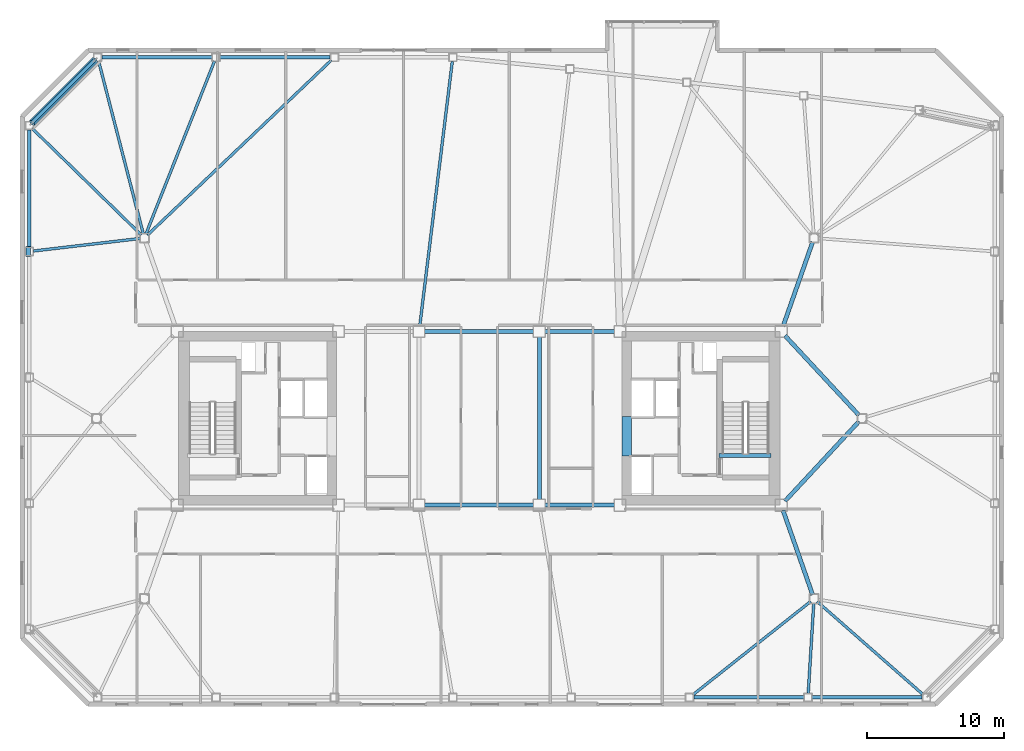
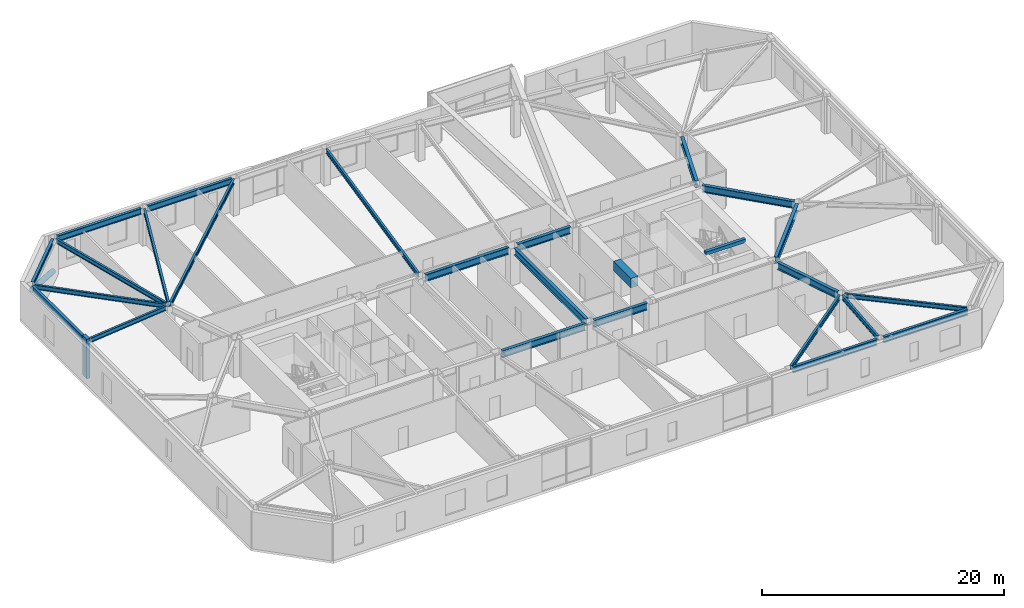
# One storey, part 7 of 20: 26 beams, 2 members.
"""IFC4 building model written with IfcOpenShell, lengths in metres."""

from ifc_helpers import new_model, si_unit, direction, frame, origin, origin_2d, place, context, subcontext, project, spatial, rectangle, hollow_circle, i_section, extrude, material, material_profile, profile_set, type_object, element, save


model = new_model("IFC4")

# Units and contexts
model_context = context("Model", 3, precision=1e-05, world=origin(), true_north=direction((0.0, 1.0)))
body_context = subcontext(model_context, "Body", "Model", "MODEL_VIEW")
ifc_project = project(units=[si_unit("LENGTHUNIT", "METRE"), si_unit("AREAUNIT", "SQUARE_METRE"), si_unit("VOLUMEUNIT", "CUBIC_METRE"), si_unit("PLANEANGLEUNIT", "RADIAN"), si_unit("MASSUNIT", "GRAM", prefix="KILO")], contexts=[model_context])

# Site, building, storey
site_placement = place(None, origin())
site = spatial("IfcSite", under=ifc_project, at=site_placement, CompositionType="ELEMENT")
building_placement = place(site_placement, origin())
building = spatial("IfcBuilding", under=site, at=building_placement, Name="Tavrogorsk Clinical Tower", CompositionType="ELEMENT")
storey_placement = place(building_placement, frame((0.0, 0.0, 176.199951171875)))
storey = spatial("IfcBuildingStorey", under=building, at=storey_placement, Name="L40", CompositionType="ELEMENT", Elevation=176.199951171875)

# Beam
ifc_material_1 = material(Name="Concrete B80", Category="concrete")
ifc_material_profile_1 = material_profile(ifc_material_1, rectangle(XDim=0.699951171875, YDim=0.949951171875, at=origin_2d()), Name="RC-CB-700x950")
ifc_profile_set_1 = profile_set([ifc_material_profile_1], Name="Concrete B80")
beam_type_1 = type_object("IfcBeamType", Name="CouplingBeam_RC700x950", PredefinedType="LINTEL", material=ifc_profile_set_1)
beam_1_placement = place(storey_placement, frame((10.800048828125, -2.75, 3.26513671875), z_axis=(0.0, 1.0, 0.0), x_axis=(-1.0, 0.0, 0.0)))
element("IfcBeam", 1, at=beam_1_placement, inside=storey, type_object=beam_type_1, Name="L40 Core East Coupling Beam", PredefinedType="LINTEL", context=body_context, shape_type="SweptSolid", body=[
    extrude(rectangle(XDim=0.699951171875, YDim=0.949951171875, at=origin_2d()), origin(), (0.0, 0.0, 1.0), 2.89990234375),
])

# Member
ifc_material_2 = material(Name="Structural steel S440", Category="steel")
ifc_material_profile_2 = material_profile(ifc_material_2, hollow_circle(Radius=0.25390625, WallThickness=0.02001953125, at=origin_2d()), Name="CHS-508x20")
ifc_profile_set_2 = profile_set([ifc_material_profile_2], Name="Structural steel S440")
member_type_1 = type_object("IfcMemberType", Name="ExoBrace_CHS508", PredefinedType="BRACE", material=ifc_profile_set_2)
member_1_placement = place(storey_placement, frame((-28.12255859375, 26.217529296875, 0.4130859375), z_axis=(-0.657758524103, -0.657758524103, 0.367025132572), x_axis=(0.707106781187, -0.707106781187, 0.0)))
element("IfcMember", 2, at=member_1_placement, inside=storey, type_object=member_type_1, Name="L40 Corner Exoskeleton Brace N8-W1", PredefinedType="BRACE", context=body_context, shape_type="SweptSolid", body=[
    extrude(hollow_circle(Radius=0.25390625, WallThickness=0.02001953125, at=origin_2d()), origin(), (0.0, 0.0, 1.0), 6.98583984375),
])

# Beams
ifc_material_3 = material(Name="Structural steel S355", Category="steel")
ifc_material_profile_3 = material_profile(ifc_material_3, i_section(OverallWidth=0.199951171875, OverallDepth=0.449951171875, WebThickness=0.011474609375, FlangeThickness=0.01806640625, at=origin_2d()), Name="B-450x200x11.5x18")
ifc_profile_set_3 = profile_set([ifc_material_profile_3], Name="Structural steel S355")
beam_type_2 = type_object("IfcBeamType", Name="FloorBeam_B450", PredefinedType="BEAM", material=ifc_profile_set_3)
beam_2_placement = place(storey_placement, frame((24.257080078125, -13.392578125, 3.51513671875), z_axis=(-0.783561002819, -0.621314859682, 0.0), x_axis=(0.621314859682, -0.783561002819, 0.0)))
element("IfcBeam", 3, at=beam_2_placement, inside=storey, type_object=beam_type_2, Name="L40 Radial Floor Beam S6", PredefinedType="BEAM", context=body_context, shape_type="SweptSolid", body=[
    extrude(i_section(OverallWidth=0.199951171875, OverallDepth=0.449951171875, WebThickness=0.011474609375, FlangeThickness=0.01806640625, at=origin_2d()), origin(), (0.0, 0.0, 1.0), 11.002685546875),
])
beam_3_placement = place(storey_placement, frame((24.48095703125, -13.509521484375, 3.51513671875), z_axis=(-0.061224865528, -0.998123998229, 0.0), x_axis=(0.998123998229, -0.061224865528, 0.0)))
element("IfcBeam", 4, at=beam_3_placement, inside=storey, type_object=beam_type_2, Name="L40 Radial Floor Beam S7", PredefinedType="BEAM", context=body_context, shape_type="SweptSolid", body=[
    extrude(i_section(OverallWidth=0.199951171875, OverallDepth=0.449951171875, WebThickness=0.011474609375, FlangeThickness=0.01806640625, at=origin_2d()), origin(), (0.0, 0.0, 1.0), 6.615478515625),
])
beam_4_placement = place(storey_placement, frame((24.73291015625, -13.404541015625, 3.51513671875), z_axis=(0.751322664981, -0.659935037019, 0.0), x_axis=(0.659935037019, 0.751322664981, 0.0)))
element("IfcBeam", 5, at=beam_4_placement, inside=storey, type_object=beam_type_2, Name="L40 Radial Floor Beam S8", PredefinedType="BEAM", context=body_context, shape_type="SweptSolid", body=[
    extrude(i_section(OverallWidth=0.199951171875, OverallDepth=0.449951171875, WebThickness=0.011474609375, FlangeThickness=0.01806640625, at=origin_2d()), origin(), (0.0, 0.0, 1.0), 10.322509765625),
])
beam_5_placement = place(storey_placement, frame((-4.349853515625, 6.7568359375, 3.51513671875), z_axis=(0.122074764034, 0.992520907581, 0.0), x_axis=(-0.992520907581, 0.122074764034, 0.0)))
element("IfcBeam", 6, at=beam_5_placement, inside=storey, type_object=beam_type_2, Name="L40 Radial Floor Beam N5", PredefinedType="BEAM", context=body_context, shape_type="SweptSolid", body=[
    extrude(i_section(OverallWidth=0.199951171875, OverallDepth=0.449951171875, WebThickness=0.011474609375, FlangeThickness=0.01806640625, at=origin_2d()), origin(), (0.0, 0.0, 1.0), 19.503173828125),
])
beam_6_placement = place(storey_placement, frame((-24.275390625, 13.41357421875, 3.51513671875), z_axis=(0.724748919983, 0.689013064451, 0.0), x_axis=(-0.689013064451, 0.724748919983, 0.0)))
element("IfcBeam", 7, at=beam_6_placement, inside=storey, type_object=beam_type_2, Name="L40 Radial Floor Beam N6", PredefinedType="BEAM", context=body_context, shape_type="SweptSolid", body=[
    extrude(i_section(OverallWidth=0.199951171875, OverallDepth=0.449951171875, WebThickness=0.011474609375, FlangeThickness=0.01806640625, at=origin_2d()), origin(), (0.0, 0.0, 1.0), 18.56884765625),
])
beam_7_placement = place(storey_placement, frame((-24.3857421875, 13.48828125, 3.51513671875), z_axis=(0.368659944508, 0.929564330918, 0.0), x_axis=(-0.929564330918, 0.368659944508, 0.0)))
element("IfcBeam", 8, at=beam_7_placement, inside=storey, type_object=beam_type_2, Name="L40 Radial Floor Beam N7", PredefinedType="BEAM", context=body_context, shape_type="SweptSolid", body=[
    extrude(i_section(OverallWidth=0.199951171875, OverallDepth=0.449951171875, WebThickness=0.011474609375, FlangeThickness=0.01806640625, at=origin_2d()), origin(), (0.0, 0.0, 1.0), 13.603759765625),
])
beam_8_placement = place(storey_placement, frame((-24.57763671875, 13.5, 3.51513671875), z_axis=(-0.250445465048, 0.968130708653, 0.0), x_axis=(-0.968130708653, -0.250445465048, 0.0)))
element("IfcBeam", 9, at=beam_8_placement, inside=storey, type_object=beam_type_2, Name="L40 Radial Floor Beam N8", PredefinedType="BEAM", context=body_context, shape_type="SweptSolid", body=[
    extrude(i_section(OverallWidth=0.199951171875, OverallDepth=0.449951171875, WebThickness=0.011474609375, FlangeThickness=0.01806640625, at=origin_2d()), origin(), (0.0, 0.0, 1.0), 13.037353515625),
])
beam_9_placement = place(storey_placement, frame((-24.721923828125, 13.41650390625, 3.51513671875), z_axis=(-0.715552053538, 0.698559416712, 0.0), x_axis=(-0.698559416712, -0.715552053538, 0.0)))
element("IfcBeam", 10, at=beam_9_placement, inside=storey, type_object=beam_type_2, Name="L40 Radial Floor Beam W1", PredefinedType="BEAM", context=body_context, shape_type="SweptSolid", body=[
    extrude(i_section(OverallWidth=0.199951171875, OverallDepth=0.449951171875, WebThickness=0.011474609375, FlangeThickness=0.01806640625, at=origin_2d()), origin(), (0.0, 0.0, 1.0), 11.149169921875),
])
beam_10_placement = place(storey_placement, frame((-24.807861328125, 13.163818359375, 3.51513671875), z_axis=(-0.993156539687, -0.116790785927, 0.0), x_axis=(0.116790785927, -0.993156539687, 0.0)))
element("IfcBeam", 11, at=beam_10_placement, inside=storey, type_object=beam_type_2, Name="L40 Radial Floor Beam W2", PredefinedType="BEAM", context=body_context, shape_type="SweptSolid", body=[
    extrude(i_section(OverallWidth=0.199951171875, OverallDepth=0.449951171875, WebThickness=0.011474609375, FlangeThickness=0.01806640625, at=origin_2d()), origin(), (0.0, 0.0, 1.0), 7.85986328125),
])

# Member
ifc_material_4 = material(Name="Precast concrete B45 with limestone cladding", Category="masonry")
ifc_material_profile_4 = material_profile(ifc_material_4, rectangle(XDim=0.320068359375, YDim=0.719970703125, at=origin_2d()), Name="LIMESTONE-FIN-320x720")
ifc_profile_set_4 = profile_set([ifc_material_profile_4], Name="Precast concrete B45 with limestone cladding")
member_type_2 = type_object("IfcMemberType", Name="LimestonePleatFin_320x720", PredefinedType="USERDEFINED", material=ifc_profile_set_4)
member_2_placement = place(storey_placement, frame((-33.0, 12.2099609375, 0.0), z_axis=(0.0, 0.0, 1.0), x_axis=(1.0, 0.0, 0.0)))
element("IfcMember", 12, at=member_2_placement, inside=storey, type_object=member_type_2, Name="L40 W Pleated Stone Fin 1", ObjectType="FIN", PredefinedType="USERDEFINED", context=body_context, shape_type="SweptSolid", body=[
    extrude(rectangle(XDim=0.320068359375, YDim=0.719970703125, at=origin_2d()), origin(), (0.0, 0.0, 1.0), 4.0),
])

# Beams
ifc_material_5 = material(Name="Structural steel S390", Category="steel")
ifc_material_profile_5 = material_profile(ifc_material_5, i_section(OverallWidth=0.300048828125, OverallDepth=0.699951171875, WebThickness=0.01708984375, FlangeThickness=0.028076171875, at=origin_2d()), Name="B-700x300x17x28")
ifc_profile_set_5 = profile_set([ifc_material_profile_5], Name="Structural steel S390")
beam_type_3 = type_object("IfcBeamType", Name="PrimaryGirder_B700", PredefinedType="USERDEFINED", material=ifc_profile_set_5)
for number, where, z_axis, x_axis, name in (
    (13, (-3.989990234375, -6.35009765625, 3.39013671875), (1.0, 0.0, 0.0), (0.0, 1.0, 0.0), "L40 Primary Spine Girder MG-03"),
    (14, (-3.989990234375, 6.35009765625, 3.39013671875), (1.0, 0.0, 0.0), (0.0, 1.0, 0.0), "L40 Primary Spine Girder MG-04"),
):
    element("IfcBeam", number, at=place(storey_placement, frame(where, z_axis=z_axis, x_axis=x_axis)), inside=storey, type_object=beam_type_3, Name=name, ObjectType="GIRDER", PredefinedType="USERDEFINED", context=body_context, shape_type="SweptSolid", body=[
        extrude(i_section(OverallWidth=0.300048828125, OverallDepth=0.699951171875, WebThickness=0.01708984375, FlangeThickness=0.028076171875, at=origin_2d()), origin(), (0.0, 0.0, 1.0), 7.97998046875),
    ])
for number, where, z_axis, x_axis, name in (
    (15, (4.81005859375, -6.35009765625, 3.39013671875), (1.0, 0.0, 0.0), (0.0, 1.0, 0.0), "L40 Primary Spine Girder MG-05"),
    (16, (4.81005859375, 6.35009765625, 3.39013671875), (1.0, 0.0, 0.0), (0.0, 1.0, 0.0), "L40 Primary Spine Girder MG-06"),
):
    element("IfcBeam", number, at=place(storey_placement, frame(where, z_axis=z_axis, x_axis=x_axis)), inside=storey, type_object=beam_type_3, Name=name, ObjectType="GIRDER", PredefinedType="USERDEFINED", context=body_context, shape_type="SweptSolid", body=[
        extrude(i_section(OverallWidth=0.300048828125, OverallDepth=0.699951171875, WebThickness=0.01708984375, FlangeThickness=0.028076171875, at=origin_2d()), origin(), (0.0, 0.0, 1.0), 5.079833984375),
    ])
beam_11_placement = place(storey_placement, frame((4.39990234375, -5.93994140625, 3.39013671875), z_axis=(0.0, 1.0, 0.0), x_axis=(-1.0, 0.0, 0.0)))
element("IfcBeam", 17, at=beam_11_placement, inside=storey, type_object=beam_type_3, Name="L40 Primary Spine Girder MG-08", ObjectType="GIRDER", PredefinedType="USERDEFINED", context=body_context, shape_type="SweptSolid", body=[
    extrude(i_section(OverallWidth=0.300048828125, OverallDepth=0.699951171875, WebThickness=0.01708984375, FlangeThickness=0.028076171875, at=origin_2d()), origin(), (0.0, 0.0, 1.0), 11.8798828125),
])
for number, where, z_axis, x_axis, name in (
    (18, (24.3974609375, -12.907470703125, 3.39013671875), (-0.33065312634, 0.94375235631, 0.0), (-0.94375235631, -0.33065312634, 0.0), "L40 Spine Link Girder OPG-2"),
    (19, (24.3974609375, 12.907470703125, 3.39013671875), (-0.33065312634, -0.94375235631, 0.0), (0.94375235631, -0.33065312634, 0.0), "L40 Spine Link Girder OPG-4"),
):
    element("IfcBeam", number, at=place(storey_placement, frame(where, z_axis=z_axis, x_axis=x_axis)), inside=storey, type_object=beam_type_3, Name=name, ObjectType="GIRDER", PredefinedType="USERDEFINED", context=body_context, shape_type="SweptSolid", body=[
        extrude(i_section(OverallWidth=0.300048828125, OverallDepth=0.699951171875, WebThickness=0.01708984375, FlangeThickness=0.028076171875, at=origin_2d()), origin(), (0.0, 0.0, 1.0), 6.5380859375),
    ])
for number, where, z_axis, x_axis, name in (
    (20, (27.7890625, -0.22705078125, 3.39013671875), (-0.680673750312, -0.732586681312, 0.0), (0.732586681312, -0.680673750312, 0.0), "L40 Spine Link Girder OPG-7"),
    (21, (27.7890625, 0.22705078125, 3.39013671875), (-0.680673750312, 0.732586681312, 0.0), (-0.732586681312, -0.680673750312, 0.0), "L40 Spine Link Girder OPG-8"),
):
    element("IfcBeam", number, at=place(storey_placement, frame(where, z_axis=z_axis, x_axis=x_axis)), inside=storey, type_object=beam_type_3, Name=name, ObjectType="GIRDER", PredefinedType="USERDEFINED", context=body_context, shape_type="SweptSolid", body=[
        extrude(i_section(OverallWidth=0.300048828125, OverallDepth=0.699951171875, WebThickness=0.01708984375, FlangeThickness=0.028076171875, at=origin_2d()), origin(), (0.0, 0.0, 1.0), 7.947998046875),
    ])
ifc_material_6 = material(Name="Structural steel S390", Category="steel")
ifc_material_profile_6 = material_profile(ifc_material_6, i_section(OverallWidth=0.260009765625, OverallDepth=0.60009765625, WebThickness=0.014892578125, FlangeThickness=0.02392578125, at=origin_2d()), Name="B-600x260x15x24")
ifc_profile_set_6 = profile_set([ifc_material_profile_6], Name="Structural steel S390")
beam_type_4 = type_object("IfcBeamType", Name="SpandrelBeam_B600", PredefinedType="SPANDREL", material=ifc_profile_set_6)
beam_12_placement = place(storey_placement, frame((15.702392578125, -20.419921875, 3.43994140625), z_axis=(1.0, 0.0, 0.0), x_axis=(0.0, 1.0, 0.0)))
element("IfcBeam", 22, at=beam_12_placement, inside=storey, type_object=beam_type_4, Name="L40 Perimeter Spandrel S6-S7", PredefinedType="SPANDREL", context=body_context, shape_type="SweptSolid", body=[
    extrude(i_section(OverallWidth=0.260009765625, OverallDepth=0.60009765625, WebThickness=0.014892578125, FlangeThickness=0.02392578125, at=origin_2d()), origin(), (0.0, 0.0, 1.0), 8.046630859375),
])
beam_13_placement = place(storey_placement, frame((24.364990234375, -20.419921875, 3.43994140625), z_axis=(1.0, 0.0, 0.0), x_axis=(0.0, 1.0, 0.0)))
element("IfcBeam", 23, at=beam_13_placement, inside=storey, type_object=beam_type_4, Name="L40 Perimeter Spandrel S7-S8", PredefinedType="SPANDREL", context=body_context, shape_type="SweptSolid", body=[
    extrude(i_section(OverallWidth=0.260009765625, OverallDepth=0.60009765625, WebThickness=0.014892578125, FlangeThickness=0.02392578125, at=origin_2d()), origin(), (0.0, 0.0, 1.0), 8.047119140625),
])
for number, where, z_axis, x_axis, name in (
    (24, (-10.90234375, 26.419921875, 3.43994140625), (-1.0, 0.0, 0.0), (0.0, -1.0, 0.0), "L40 Perimeter Spandrel N6-N7"),
    (25, (-19.565185546875, 26.419921875, 3.43994140625), (-1.0, 0.0, 0.0), (0.0, -1.0, 0.0), "L40 Perimeter Spandrel N7-N8"),
):
    element("IfcBeam", number, at=place(storey_placement, frame(where, z_axis=z_axis, x_axis=x_axis)), inside=storey, type_object=beam_type_4, Name=name, PredefinedType="SPANDREL", context=body_context, shape_type="SweptSolid", body=[
        extrude(i_section(OverallWidth=0.260009765625, OverallDepth=0.60009765625, WebThickness=0.014892578125, FlangeThickness=0.02392578125, at=origin_2d()), origin(), (0.0, 0.0, 1.0), 8.046875),
    ])
beam_14_placement = place(storey_placement, frame((-28.1376953125, 26.2021484375, 3.43994140625), z_axis=(-0.707106781187, -0.707106781187, 0.0), x_axis=(0.707106781187, -0.707106781187, 0.0)))
element("IfcBeam", 26, at=beam_14_placement, inside=storey, type_object=beam_type_4, Name="L40 Perimeter Spandrel N8-W1", PredefinedType="SPANDREL", context=body_context, shape_type="SweptSolid", body=[
    extrude(i_section(OverallWidth=0.260009765625, OverallDepth=0.60009765625, WebThickness=0.014892578125, FlangeThickness=0.02392578125, at=origin_2d()), origin(), (0.0, 0.0, 1.0), 6.455078125),
])
beam_15_placement = place(storey_placement, frame((-32.919921875, 21.112060546875, 3.43994140625), z_axis=(0.0, -1.0, 0.0), x_axis=(1.0, 0.0, 0.0)))
element("IfcBeam", 27, at=beam_15_placement, inside=storey, type_object=beam_type_4, Name="L40 Perimeter Spandrel W1-W2", PredefinedType="SPANDREL", context=body_context, shape_type="SweptSolid", body=[
    extrude(i_section(OverallWidth=0.260009765625, OverallDepth=0.60009765625, WebThickness=0.014892578125, FlangeThickness=0.02392578125, at=origin_2d()), origin(), (0.0, 0.0, 1.0), 8.593994140625),
])
ifc_material_7 = material(Name="Concrete B60", Category="concrete")
ifc_material_profile_7 = material_profile(ifc_material_7, rectangle(XDim=0.300048828125, YDim=0.35009765625, at=origin_2d()), Name="RC-SHB-300x350")
ifc_profile_set_7 = profile_set([ifc_material_profile_7], Name="Concrete B60")
beam_type_5 = type_object("IfcBeamType", Name="StairHeaderBeam_RC300x350", PredefinedType="BEAM", material=ifc_profile_set_7)
beam_16_placement = place(storey_placement, frame((17.550048828125, -2.719970703125, 3.824951171875), z_axis=(1.0, 0.0, 0.0), x_axis=(0.0, 1.0, 0.0)))
element("IfcBeam", 28, at=beam_16_placement, inside=storey, type_object=beam_type_5, Name="L41 ST-E Landing Header Beam", PredefinedType="BEAM", context=body_context, shape_type="SweptSolid", body=[
    extrude(rectangle(XDim=0.300048828125, YDim=0.35009765625, at=origin_2d()), origin(), (0.0, 0.0, 1.0), 3.800048828125),
])

save(model, "model.ifc")
